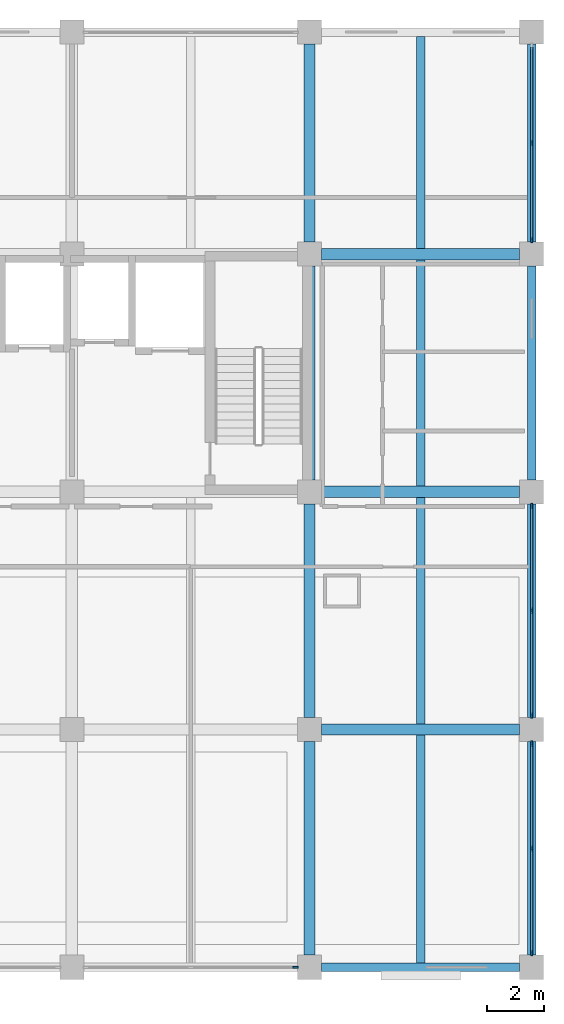
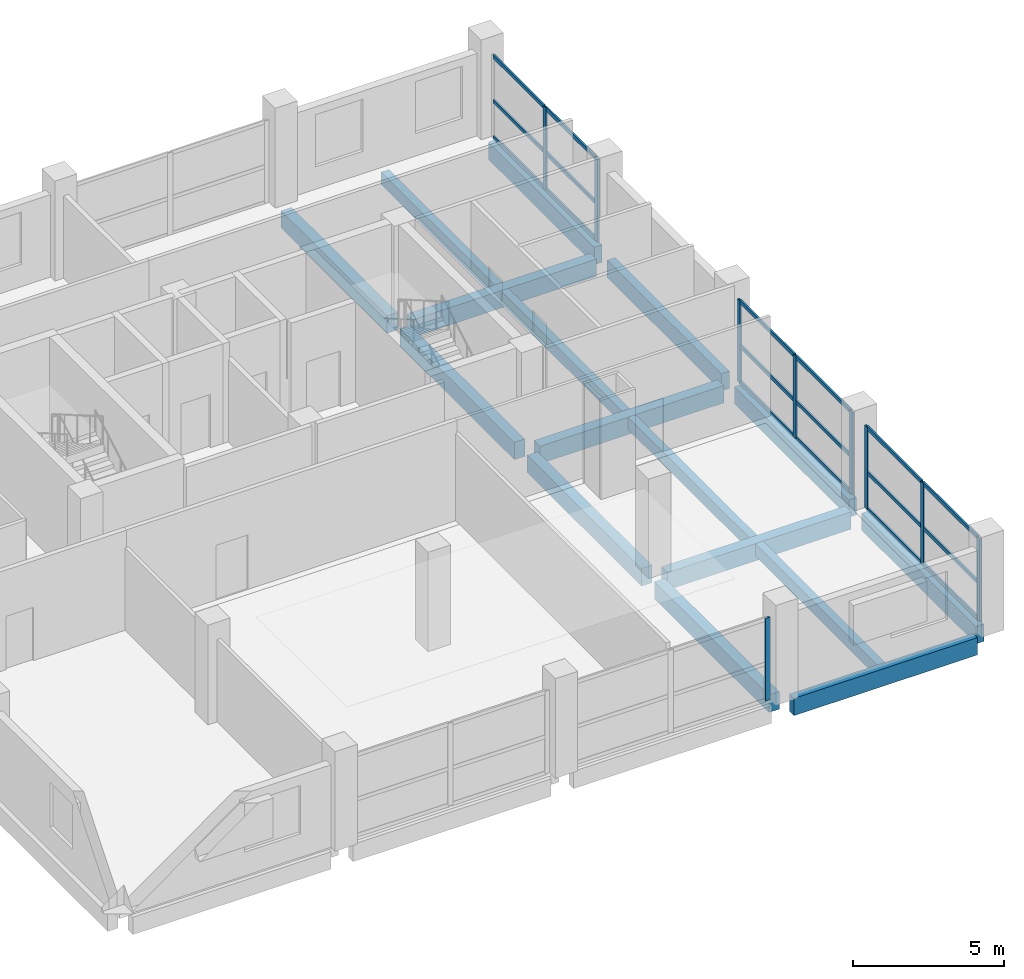
# One storey, part 4 of 9: 27 members, 16 beams, 4 elements without a shape of their own.
"""IFC4 building model written with IfcOpenShell, lengths in metres."""

from ifc_helpers import new_model, si_unit, direction, frame, origin, origin_2d, place, context, subcontext, project, spatial, rectangle, extrude, material, material_profile, profile_set, type_object, element, aggregate, save


model = new_model("IFC4")

# Units and contexts
model_context = context("Model", 3, precision=1e-05, world=origin(), true_north=direction((0.0, 1.0)))
body_context = subcontext(model_context, "Body", "Model", "MODEL_VIEW")
ifc_project = project(units=[si_unit("LENGTHUNIT", "METRE"), si_unit("AREAUNIT", "SQUARE_METRE"), si_unit("VOLUMEUNIT", "CUBIC_METRE"), si_unit("PLANEANGLEUNIT", "RADIAN"), si_unit("MASSUNIT", "GRAM", prefix="KILO")], contexts=[model_context])

# Site, building, storey
site_placement = place(None, origin())
site = spatial("IfcSite", under=ifc_project, at=site_placement, CompositionType="ELEMENT")
building_placement = place(site_placement, origin())
building = spatial("IfcBuilding", under=site, at=building_placement, Name="Brinegate Botanical Conservatory", CompositionType="ELEMENT")
storey_placement = place(building_placement, frame((0.0, 0.0, 36.0)))
storey = spatial("IfcBuildingStorey", under=building, at=storey_placement, Name="L09", CompositionType="ELEMENT", Elevation=36.0)

# Beams
ifc_material_1 = material(Name="Concrete C40/50", Category="concrete")
ifc_material_profile_1 = material_profile(ifc_material_1, rectangle(XDim=0.39990234375, YDim=0.699951171875, at=origin_2d()), Name="RC BM 400x700")
ifc_profile_set_1 = profile_set([ifc_material_profile_1], Name="Concrete C40/50")
beam_type_1 = type_object("IfcBeamType", Name="Beam_BM-T2", PredefinedType="BEAM", material=ifc_profile_set_1)
for number, where, z_axis, x_axis, name in (
    (1, (156.02490234375, 86.800048828125, -0.530029296875), (1.0, 0.0, 0.0), (0.0, 1.0, 0.0), "Beam BM-T2 L09 L:20-21"),
    (2, (156.02490234375, 95.199951171875, -0.530029296875), (1.0, 0.0, 0.0), (0.0, 1.0, 0.0), "Beam BM-T2 L09 M:20-21"),
    (3, (156.02490234375, 103.60009765625, -0.530029296875), (1.0, 0.0, 0.0), (0.0, 1.0, 0.0), "Beam BM-T2 L09 N:20-21"),
):
    element("IfcBeam", number, at=place(storey_placement, frame(where, z_axis=z_axis, x_axis=x_axis)), inside=storey, type_object=beam_type_1, Name=name, PredefinedType="BEAM", context=body_context, shape_type="SweptSolid", body=[
        extrude(rectangle(XDim=0.39990234375, YDim=0.699951171875, at=origin_2d()), origin(), (0.0, 0.0, 1.0), 7.0),
    ])
beam_1_placement = place(storey_placement, frame((155.60009765625, 78.824951171875, -0.530029296875), z_axis=(0.0, 1.0, 0.0), x_axis=(-1.0, 0.0, 0.0)))
element("IfcBeam", 4, at=beam_1_placement, inside=storey, type_object=beam_type_1, Name="Beam BM-T2 L09 20:K-L", PredefinedType="BEAM", context=body_context, shape_type="SweptSolid", body=[
    extrude(rectangle(XDim=0.39990234375, YDim=0.699951171875, at=origin_2d()), origin(), (0.0, 0.0, 1.0), 7.550048828125),
])
beam_2_placement = place(storey_placement, frame((155.60009765625, 87.22509765625, -0.530029296875), z_axis=(0.0, 1.0, 0.0), x_axis=(-1.0, 0.0, 0.0)))
element("IfcBeam", 5, at=beam_2_placement, inside=storey, type_object=beam_type_1, Name="Beam BM-T2 L09 20:L-M", PredefinedType="BEAM", context=body_context, shape_type="SweptSolid", body=[
    extrude(rectangle(XDim=0.39990234375, YDim=0.699951171875, at=origin_2d()), origin(), (0.0, 0.0, 1.0), 7.5498046875),
])
beam_3_placement = place(storey_placement, frame((155.60009765625, 95.625, -0.530029296875), z_axis=(0.0, 1.0, 0.0), x_axis=(-1.0, 0.0, 0.0)))
element("IfcBeam", 6, at=beam_3_placement, inside=storey, type_object=beam_type_1, Name="Beam BM-T2 L09 20:M-N", PredefinedType="BEAM", context=body_context, shape_type="SweptSolid", body=[
    extrude(rectangle(XDim=0.39990234375, YDim=0.699951171875, at=origin_2d()), origin(), (0.0, 0.0, 1.0), 7.550048828125),
])
beam_4_placement = place(storey_placement, frame((155.60009765625, 104.02490234375, -0.530029296875), z_axis=(0.0, 1.0, 0.0), x_axis=(-1.0, 0.0, 0.0)))
element("IfcBeam", 7, at=beam_4_placement, inside=storey, type_object=beam_type_1, Name="Beam BM-T2 L09 20:N-P", PredefinedType="BEAM", context=body_context, shape_type="SweptSolid", body=[
    extrude(rectangle(XDim=0.39990234375, YDim=0.699951171875, at=origin_2d()), origin(), (0.0, 0.0, 1.0), 7.0),
])
ifc_material_profile_2 = material_profile(ifc_material_1, rectangle(XDim=0.300048828125, YDim=0.5, at=origin_2d()), Name="RC JST 300x500")
ifc_profile_set_2 = profile_set([ifc_material_profile_2], Name="Concrete C40/50")
beam_type_2 = type_object("IfcBeamType", Name="Beam_JS-C2", PredefinedType="JOIST", material=ifc_profile_set_2)
beam_5_placement = place(storey_placement, frame((159.52490234375, 78.550048828125, -0.429931640625), z_axis=(0.0, 1.0, 0.0), x_axis=(-1.0, 0.0, 0.0)))
element("IfcBeam", 8, at=beam_5_placement, inside=storey, type_object=beam_type_2, Name="Floor joist JS-C2 L09 bay 20.10", PredefinedType="JOIST", context=body_context, shape_type="SweptSolid", body=[
    extrude(rectangle(XDim=0.300048828125, YDim=0.5, at=origin_2d()), origin(), (0.0, 0.0, 1.0), 8.050048828125),
])
for number, where, z_axis, x_axis, name in (
    (9, (159.52490234375, 87.0, -0.429931640625), (0.0, 1.0, 0.0), (-1.0, 0.0, 0.0), "Floor joist JS-C2 L09 bay 20.11"),
    (10, (159.52490234375, 95.39990234375, -0.429931640625), (0.0, 1.0, 0.0), (-1.0, 0.0, 0.0), "Floor joist JS-C2 L09 bay 20.12"),
):
    element("IfcBeam", number, at=place(storey_placement, frame(where, z_axis=z_axis, x_axis=x_axis)), inside=storey, type_object=beam_type_2, Name=name, PredefinedType="JOIST", context=body_context, shape_type="SweptSolid", body=[
        extrude(rectangle(XDim=0.300048828125, YDim=0.5, at=origin_2d()), origin(), (0.0, 0.0, 1.0), 8.0),
    ])
beam_6_placement = place(storey_placement, frame((159.52490234375, 103.800048828125, -0.429931640625), z_axis=(0.0, 1.0, 0.0), x_axis=(-1.0, 0.0, 0.0)))
element("IfcBeam", 11, at=beam_6_placement, inside=storey, type_object=beam_type_2, Name="Floor joist JS-C2 L09 bay 20.13", PredefinedType="JOIST", context=body_context, shape_type="SweptSolid", body=[
    extrude(rectangle(XDim=0.300048828125, YDim=0.5, at=origin_2d()), origin(), (0.0, 0.0, 1.0), 7.5),
])
ifc_material_profile_3 = material_profile(ifc_material_1, rectangle(XDim=0.300048828125, YDim=0.699951171875, at=origin_2d()), Name="RC SPN 300x700")
ifc_profile_set_3 = profile_set([ifc_material_profile_3], Name="Concrete C40/50")
beam_type_3 = type_object("IfcBeamType", Name="Beam_SP-02", PredefinedType="SPANDREL", material=ifc_profile_set_3)
beam_7_placement = place(storey_placement, frame((156.02490234375, 78.39990234375, -0.530029296875), z_axis=(1.0, 0.0, 0.0), x_axis=(0.0, 1.0, 0.0)))
element("IfcBeam", 12, at=beam_7_placement, inside=storey, type_object=beam_type_3, Name="Beam SP-02 L09 K:20-21", PredefinedType="SPANDREL", context=body_context, shape_type="SweptSolid", body=[
    extrude(rectangle(XDim=0.300048828125, YDim=0.699951171875, at=origin_2d()), origin(), (0.0, 0.0, 1.0), 7.0),
])
beam_8_placement = place(storey_placement, frame((163.449951171875, 78.824951171875, -0.530029296875), z_axis=(0.0, 1.0, 0.0), x_axis=(-1.0, 0.0, 0.0)))
element("IfcBeam", 13, at=beam_8_placement, inside=storey, type_object=beam_type_3, Name="Beam SP-02 L09 21:K-L", PredefinedType="SPANDREL", context=body_context, shape_type="SweptSolid", body=[
    extrude(rectangle(XDim=0.300048828125, YDim=0.699951171875, at=origin_2d()), origin(), (0.0, 0.0, 1.0), 7.550048828125),
])
beam_9_placement = place(storey_placement, frame((163.449951171875, 87.22509765625, -0.530029296875), z_axis=(0.0, 1.0, 0.0), x_axis=(-1.0, 0.0, 0.0)))
element("IfcBeam", 14, at=beam_9_placement, inside=storey, type_object=beam_type_3, Name="Beam SP-02 L09 21:L-M", PredefinedType="SPANDREL", context=body_context, shape_type="SweptSolid", body=[
    extrude(rectangle(XDim=0.300048828125, YDim=0.699951171875, at=origin_2d()), origin(), (0.0, 0.0, 1.0), 7.5498046875),
])
beam_10_placement = place(storey_placement, frame((163.449951171875, 95.625, -0.530029296875), z_axis=(0.0, 1.0, 0.0), x_axis=(-1.0, 0.0, 0.0)))
element("IfcBeam", 15, at=beam_10_placement, inside=storey, type_object=beam_type_3, Name="Beam SP-02 L09 21:M-N", PredefinedType="SPANDREL", context=body_context, shape_type="SweptSolid", body=[
    extrude(rectangle(XDim=0.300048828125, YDim=0.699951171875, at=origin_2d()), origin(), (0.0, 0.0, 1.0), 7.550048828125),
])
beam_11_placement = place(storey_placement, frame((163.449951171875, 104.02490234375, -0.530029296875), z_axis=(0.0, 1.0, 0.0), x_axis=(-1.0, 0.0, 0.0)))
element("IfcBeam", 16, at=beam_11_placement, inside=storey, type_object=beam_type_3, Name="Beam SP-02 L09 21:N-P", PredefinedType="SPANDREL", context=body_context, shape_type="SweptSolid", body=[
    extrude(rectangle(XDim=0.300048828125, YDim=0.699951171875, at=origin_2d()), origin(), (0.0, 0.0, 1.0), 7.0),
])

# Curtain wall, member
ifc_material_2 = material(Name="Thermally broken anodised aluminium AW-6063-T6", Category="aluminium")
curtain_wall_type = type_object("IfcCurtainWallType", Name="CW_CW-TW1", PredefinedType="USERDEFINED", material=ifc_material_2)
curtain_wall_1_placement = place(storey_placement, origin())
curtain_wall_1 = element("IfcCurtainWall", 17, at=curtain_wall_1_placement, inside=storey, type_object=curtain_wall_type, Name="Tower south curtain wall L09.3", ObjectType="FACTORY CURTAIN WALL", PredefinedType="USERDEFINED")
ifc_material_profile_4 = material_profile(ifc_material_2, rectangle(XDim=0.070068359375, YDim=0.199951171875, at=origin_2d()), Name="ALUM MULLION 70x200")
ifc_profile_set_4 = profile_set([ifc_material_profile_4], Name="Thermally broken anodised aluminium AW-6063-T6")
member_type_1 = type_object("IfcMemberType", Name="Member_ML-03", PredefinedType="MULLION", material=ifc_profile_set_4)
member_1_placement = place(storey_placement, frame((155.10009765625, 78.39990234375, 0.0), z_axis=(0.0, 0.0, 1.0), x_axis=(0.0, -1.0, 0.0)))
member_1 = element("IfcMember", 18, at=member_1_placement, type_object=member_type_1, Name="CW-TW1 mullion 1", PredefinedType="MULLION", context=body_context, shape_type="SweptSolid", body=[
    extrude(rectangle(XDim=0.070068359375, YDim=0.199951171875, at=origin_2d()), origin(), (0.0, 0.0, 1.0), 3.320068359375),
])
aggregate(curtain_wall_1, [member_1])

# Curtain wall, members
curtain_wall_2_placement = place(storey_placement, origin())
curtain_wall_2 = element("IfcCurtainWall", 19, at=curtain_wall_2_placement, inside=storey, type_object=curtain_wall_type, Name="Tower east curtain wall L09.1", ObjectType="FACTORY CURTAIN WALL", PredefinedType="USERDEFINED")
member_2_placement = place(storey_placement, frame((163.449951171875, 86.300048828125, 0.0), z_axis=(0.0, 0.0, 1.0), x_axis=(1.0, 0.0, 0.0)))
member_2 = element("IfcMember", 20, at=member_2_placement, type_object=member_type_1, Name="CW-TW1 mullion 1", PredefinedType="MULLION", context=body_context, shape_type="SweptSolid", body=[
    extrude(rectangle(XDim=0.070068359375, YDim=0.199951171875, at=origin_2d()), origin(), (0.0, 0.0, 1.0), 3.320068359375),
])
member_3_placement = place(storey_placement, frame((163.449951171875, 82.60009765625, 0.0), z_axis=(0.0, 0.0, 1.0), x_axis=(1.0, 0.0, 0.0)))
member_3 = element("IfcMember", 21, at=member_3_placement, type_object=member_type_1, Name="CW-TW1 mullion 2", PredefinedType="MULLION", context=body_context, shape_type="SweptSolid", body=[
    extrude(rectangle(XDim=0.070068359375, YDim=0.199951171875, at=origin_2d()), origin(), (0.0, 0.0, 1.0), 3.320068359375),
])
member_4_placement = place(storey_placement, frame((163.449951171875, 78.89990234375, 0.0), z_axis=(0.0, 0.0, 1.0), x_axis=(1.0, 0.0, 0.0)))
member_4 = element("IfcMember", 22, at=member_4_placement, type_object=member_type_1, Name="CW-TW1 mullion 3", PredefinedType="MULLION", context=body_context, shape_type="SweptSolid", body=[
    extrude(rectangle(XDim=0.070068359375, YDim=0.199951171875, at=origin_2d()), origin(), (0.0, 0.0, 1.0), 3.320068359375),
])

curtain_wall_3_placement = place(storey_placement, origin())
curtain_wall_3 = element("IfcCurtainWall", 23, at=curtain_wall_3_placement, inside=storey, type_object=curtain_wall_type, Name="Tower east curtain wall L09.2", ObjectType="FACTORY CURTAIN WALL", PredefinedType="USERDEFINED")
member_5_placement = place(storey_placement, frame((163.449951171875, 94.699951171875, 0.0), z_axis=(0.0, 0.0, 1.0), x_axis=(1.0, 0.0, 0.0)))
member_5 = element("IfcMember", 24, at=member_5_placement, type_object=member_type_1, Name="CW-TW1 mullion 1", PredefinedType="MULLION", context=body_context, shape_type="SweptSolid", body=[
    extrude(rectangle(XDim=0.070068359375, YDim=0.199951171875, at=origin_2d()), origin(), (0.0, 0.0, 1.0), 3.320068359375),
])
member_6_placement = place(storey_placement, frame((163.449951171875, 91.0, 0.0), z_axis=(0.0, 0.0, 1.0), x_axis=(1.0, 0.0, 0.0)))
member_6 = element("IfcMember", 25, at=member_6_placement, type_object=member_type_1, Name="CW-TW1 mullion 2", PredefinedType="MULLION", context=body_context, shape_type="SweptSolid", body=[
    extrude(rectangle(XDim=0.070068359375, YDim=0.199951171875, at=origin_2d()), origin(), (0.0, 0.0, 1.0), 3.320068359375),
])
member_7_placement = place(storey_placement, frame((163.449951171875, 87.300048828125, 0.0), z_axis=(0.0, 0.0, 1.0), x_axis=(1.0, 0.0, 0.0)))
member_7 = element("IfcMember", 26, at=member_7_placement, type_object=member_type_1, Name="CW-TW1 mullion 3", PredefinedType="MULLION", context=body_context, shape_type="SweptSolid", body=[
    extrude(rectangle(XDim=0.070068359375, YDim=0.199951171875, at=origin_2d()), origin(), (0.0, 0.0, 1.0), 3.320068359375),
])

curtain_wall_4_placement = place(storey_placement, origin())
curtain_wall_4 = element("IfcCurtainWall", 27, at=curtain_wall_4_placement, inside=storey, type_object=curtain_wall_type, Name="Tower east curtain wall L09.4", ObjectType="FACTORY CURTAIN WALL", PredefinedType="USERDEFINED")
member_8_placement = place(storey_placement, frame((163.449951171875, 107.52490234375, 0.0), z_axis=(0.0, 0.0, 1.0), x_axis=(1.0, 0.0, 0.0)))
member_8 = element("IfcMember", 28, at=member_8_placement, type_object=member_type_1, Name="CW-TW1 mullion 2", PredefinedType="MULLION", context=body_context, shape_type="SweptSolid", body=[
    extrude(rectangle(XDim=0.070068359375, YDim=0.199951171875, at=origin_2d()), origin(), (0.0, 0.0, 1.0), 3.320068359375),
])
member_9_placement = place(storey_placement, frame((163.449951171875, 104.10009765625, 0.0), z_axis=(0.0, 0.0, 1.0), x_axis=(1.0, 0.0, 0.0)))
member_9 = element("IfcMember", 29, at=member_9_placement, type_object=member_type_1, Name="CW-TW1 mullion 3", PredefinedType="MULLION", context=body_context, shape_type="SweptSolid", body=[
    extrude(rectangle(XDim=0.070068359375, YDim=0.199951171875, at=origin_2d()), origin(), (0.0, 0.0, 1.0), 3.320068359375),
])

# Member
ifc_material_profile_5 = material_profile(ifc_material_2, rectangle(XDim=0.070068359375, YDim=0.14990234375, at=origin_2d()), Name="ALUM TRANSOM 70x150")
ifc_profile_set_5 = profile_set([ifc_material_profile_5], Name="Thermally broken anodised aluminium AW-6063-T6")
member_type_2 = type_object("IfcMemberType", Name="Member_TR-03", PredefinedType="USERDEFINED", material=ifc_profile_set_5)
member_10_placement = place(storey_placement, frame((163.449951171875, 86.264892578125, 0.034912109375), z_axis=(0.0, -1.0, 0.0), x_axis=(1.0, 0.0, 0.0)))
member_10 = element("IfcMember", 30, at=member_10_placement, type_object=member_type_2, Name="CW-TW1 transom 1.1", ObjectType="TRANSOM", PredefinedType="USERDEFINED", context=body_context, shape_type="SweptSolid", body=[
    extrude(rectangle(XDim=0.070068359375, YDim=0.14990234375, at=origin_2d()), origin(), (0.0, 0.0, 1.0), 3.6298828125),
])

member_11_placement = place(storey_placement, frame((163.449951171875, 86.264892578125, 1.493896484375), z_axis=(0.0, -1.0, 0.0), x_axis=(1.0, 0.0, 0.0)))
member_11 = element("IfcMember", 31, at=member_11_placement, type_object=member_type_2, Name="CW-TW1 transom 1.2", ObjectType="TRANSOM", PredefinedType="USERDEFINED", context=body_context, shape_type="SweptSolid", body=[
    extrude(rectangle(XDim=0.070068359375, YDim=0.14990234375, at=origin_2d()), origin(), (0.0, 0.0, 1.0), 3.6298828125),
])

member_12_placement = place(storey_placement, frame((163.449951171875, 86.264892578125, 3.284912109375), z_axis=(0.0, -1.0, 0.0), x_axis=(1.0, 0.0, 0.0)))
member_12 = element("IfcMember", 32, at=member_12_placement, type_object=member_type_2, Name="CW-TW1 transom 1.3", ObjectType="TRANSOM", PredefinedType="USERDEFINED", context=body_context, shape_type="SweptSolid", body=[
    extrude(rectangle(XDim=0.070068359375, YDim=0.14990234375, at=origin_2d()), origin(), (0.0, 0.0, 1.0), 3.6298828125),
])

member_13_placement = place(storey_placement, frame((163.449951171875, 82.56494140625, 0.034912109375), z_axis=(0.0, -1.0, 0.0), x_axis=(1.0, 0.0, 0.0)))
member_13 = element("IfcMember", 33, at=member_13_placement, type_object=member_type_2, Name="CW-TW1 transom 2.1", ObjectType="TRANSOM", PredefinedType="USERDEFINED", context=body_context, shape_type="SweptSolid", body=[
    extrude(rectangle(XDim=0.070068359375, YDim=0.14990234375, at=origin_2d()), origin(), (0.0, 0.0, 1.0), 3.6298828125),
])

member_14_placement = place(storey_placement, frame((163.449951171875, 82.56494140625, 1.493896484375), z_axis=(0.0, -1.0, 0.0), x_axis=(1.0, 0.0, 0.0)))
member_14 = element("IfcMember", 34, at=member_14_placement, type_object=member_type_2, Name="CW-TW1 transom 2.2", ObjectType="TRANSOM", PredefinedType="USERDEFINED", context=body_context, shape_type="SweptSolid", body=[
    extrude(rectangle(XDim=0.070068359375, YDim=0.14990234375, at=origin_2d()), origin(), (0.0, 0.0, 1.0), 3.6298828125),
])

member_15_placement = place(storey_placement, frame((163.449951171875, 82.56494140625, 3.284912109375), z_axis=(0.0, -1.0, 0.0), x_axis=(1.0, 0.0, 0.0)))
member_15 = element("IfcMember", 35, at=member_15_placement, type_object=member_type_2, Name="CW-TW1 transom 2.3", ObjectType="TRANSOM", PredefinedType="USERDEFINED", context=body_context, shape_type="SweptSolid", body=[
    extrude(rectangle(XDim=0.070068359375, YDim=0.14990234375, at=origin_2d()), origin(), (0.0, 0.0, 1.0), 3.6298828125),
])

aggregate(curtain_wall_2, [member_2, member_3, member_4, member_10, member_11, member_12, member_13, member_14, member_15])

member_16_placement = place(storey_placement, frame((163.449951171875, 94.6650390625, 0.034912109375), z_axis=(0.0, -1.0, 0.0), x_axis=(1.0, 0.0, 0.0)))
member_16 = element("IfcMember", 36, at=member_16_placement, type_object=member_type_2, Name="CW-TW1 transom 1.1", ObjectType="TRANSOM", PredefinedType="USERDEFINED", context=body_context, shape_type="SweptSolid", body=[
    extrude(rectangle(XDim=0.070068359375, YDim=0.14990234375, at=origin_2d()), origin(), (0.0, 0.0, 1.0), 3.630126953125),
])

member_17_placement = place(storey_placement, frame((163.449951171875, 94.6650390625, 1.493896484375), z_axis=(0.0, -1.0, 0.0), x_axis=(1.0, 0.0, 0.0)))
member_17 = element("IfcMember", 37, at=member_17_placement, type_object=member_type_2, Name="CW-TW1 transom 1.2", ObjectType="TRANSOM", PredefinedType="USERDEFINED", context=body_context, shape_type="SweptSolid", body=[
    extrude(rectangle(XDim=0.070068359375, YDim=0.14990234375, at=origin_2d()), origin(), (0.0, 0.0, 1.0), 3.630126953125),
])

member_18_placement = place(storey_placement, frame((163.449951171875, 94.6650390625, 3.284912109375), z_axis=(0.0, -1.0, 0.0), x_axis=(1.0, 0.0, 0.0)))
member_18 = element("IfcMember", 38, at=member_18_placement, type_object=member_type_2, Name="CW-TW1 transom 1.3", ObjectType="TRANSOM", PredefinedType="USERDEFINED", context=body_context, shape_type="SweptSolid", body=[
    extrude(rectangle(XDim=0.070068359375, YDim=0.14990234375, at=origin_2d()), origin(), (0.0, 0.0, 1.0), 3.630126953125),
])

member_19_placement = place(storey_placement, frame((163.449951171875, 90.965087890625, 0.034912109375), z_axis=(0.0, -1.0, 0.0), x_axis=(1.0, 0.0, 0.0)))
member_19 = element("IfcMember", 39, at=member_19_placement, type_object=member_type_2, Name="CW-TW1 transom 2.1", ObjectType="TRANSOM", PredefinedType="USERDEFINED", context=body_context, shape_type="SweptSolid", body=[
    extrude(rectangle(XDim=0.070068359375, YDim=0.14990234375, at=origin_2d()), origin(), (0.0, 0.0, 1.0), 3.630126953125),
])

member_20_placement = place(storey_placement, frame((163.449951171875, 90.965087890625, 1.493896484375), z_axis=(0.0, -1.0, 0.0), x_axis=(1.0, 0.0, 0.0)))
member_20 = element("IfcMember", 40, at=member_20_placement, type_object=member_type_2, Name="CW-TW1 transom 2.2", ObjectType="TRANSOM", PredefinedType="USERDEFINED", context=body_context, shape_type="SweptSolid", body=[
    extrude(rectangle(XDim=0.070068359375, YDim=0.14990234375, at=origin_2d()), origin(), (0.0, 0.0, 1.0), 3.630126953125),
])

member_21_placement = place(storey_placement, frame((163.449951171875, 90.965087890625, 3.284912109375), z_axis=(0.0, -1.0, 0.0), x_axis=(1.0, 0.0, 0.0)))
member_21 = element("IfcMember", 41, at=member_21_placement, type_object=member_type_2, Name="CW-TW1 transom 2.3", ObjectType="TRANSOM", PredefinedType="USERDEFINED", context=body_context, shape_type="SweptSolid", body=[
    extrude(rectangle(XDim=0.070068359375, YDim=0.14990234375, at=origin_2d()), origin(), (0.0, 0.0, 1.0), 3.630126953125),
])

aggregate(curtain_wall_3, [member_5, member_6, member_7, member_16, member_17, member_18, member_19, member_20, member_21])

member_22_placement = place(storey_placement, frame((163.449951171875, 110.9150390625, 0.034912109375), z_axis=(0.0, -1.0, 0.0), x_axis=(1.0, 0.0, 0.0)))
member_22 = element("IfcMember", 42, at=member_22_placement, type_object=member_type_2, Name="CW-TW1 transom 1.1", ObjectType="TRANSOM", PredefinedType="USERDEFINED", context=body_context, shape_type="SweptSolid", body=[
    extrude(rectangle(XDim=0.070068359375, YDim=0.14990234375, at=origin_2d()), origin(), (0.0, 0.0, 1.0), 3.35498046875),
])

member_23_placement = place(storey_placement, frame((163.449951171875, 110.9150390625, 1.493896484375), z_axis=(0.0, -1.0, 0.0), x_axis=(1.0, 0.0, 0.0)))
member_23 = element("IfcMember", 43, at=member_23_placement, type_object=member_type_2, Name="CW-TW1 transom 1.2", ObjectType="TRANSOM", PredefinedType="USERDEFINED", context=body_context, shape_type="SweptSolid", body=[
    extrude(rectangle(XDim=0.070068359375, YDim=0.14990234375, at=origin_2d()), origin(), (0.0, 0.0, 1.0), 3.35498046875),
])

member_24_placement = place(storey_placement, frame((163.449951171875, 110.9150390625, 3.284912109375), z_axis=(0.0, -1.0, 0.0), x_axis=(1.0, 0.0, 0.0)))
member_24 = element("IfcMember", 44, at=member_24_placement, type_object=member_type_2, Name="CW-TW1 transom 1.3", ObjectType="TRANSOM", PredefinedType="USERDEFINED", context=body_context, shape_type="SweptSolid", body=[
    extrude(rectangle(XDim=0.070068359375, YDim=0.14990234375, at=origin_2d()), origin(), (0.0, 0.0, 1.0), 3.35498046875),
])

member_25_placement = place(storey_placement, frame((163.449951171875, 107.489990234375, 0.034912109375), z_axis=(0.0, -1.0, 0.0), x_axis=(1.0, 0.0, 0.0)))
member_25 = element("IfcMember", 45, at=member_25_placement, type_object=member_type_2, Name="CW-TW1 transom 2.1", ObjectType="TRANSOM", PredefinedType="USERDEFINED", context=body_context, shape_type="SweptSolid", body=[
    extrude(rectangle(XDim=0.070068359375, YDim=0.14990234375, at=origin_2d()), origin(), (0.0, 0.0, 1.0), 3.35498046875),
])

member_26_placement = place(storey_placement, frame((163.449951171875, 107.489990234375, 1.493896484375), z_axis=(0.0, -1.0, 0.0), x_axis=(1.0, 0.0, 0.0)))
member_26 = element("IfcMember", 46, at=member_26_placement, type_object=member_type_2, Name="CW-TW1 transom 2.2", ObjectType="TRANSOM", PredefinedType="USERDEFINED", context=body_context, shape_type="SweptSolid", body=[
    extrude(rectangle(XDim=0.070068359375, YDim=0.14990234375, at=origin_2d()), origin(), (0.0, 0.0, 1.0), 3.35498046875),
])

member_27_placement = place(storey_placement, frame((163.449951171875, 107.489990234375, 3.284912109375), z_axis=(0.0, -1.0, 0.0), x_axis=(1.0, 0.0, 0.0)))
member_27 = element("IfcMember", 47, at=member_27_placement, type_object=member_type_2, Name="CW-TW1 transom 2.3", ObjectType="TRANSOM", PredefinedType="USERDEFINED", context=body_context, shape_type="SweptSolid", body=[
    extrude(rectangle(XDim=0.070068359375, YDim=0.14990234375, at=origin_2d()), origin(), (0.0, 0.0, 1.0), 3.35498046875),
])

aggregate(curtain_wall_4, [member_8, member_9, member_22, member_23, member_24, member_25, member_26, member_27])

save(model, "model.ifc")
